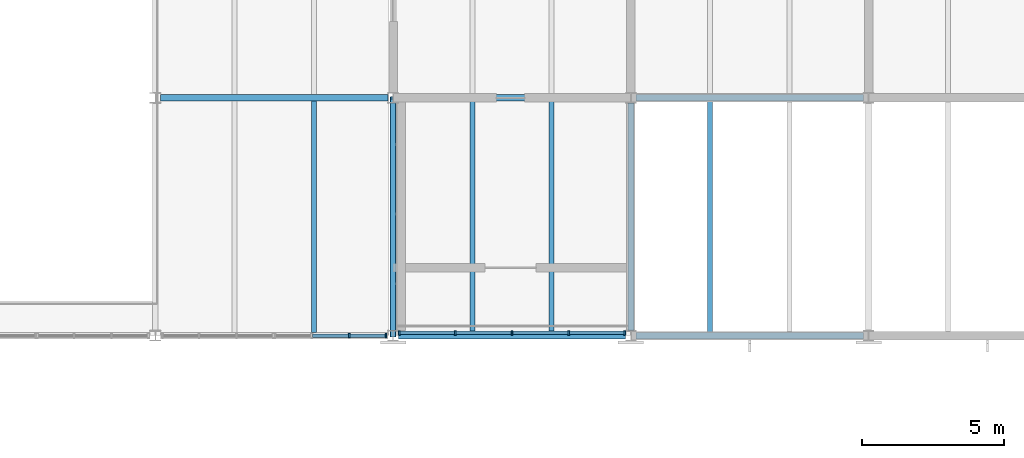
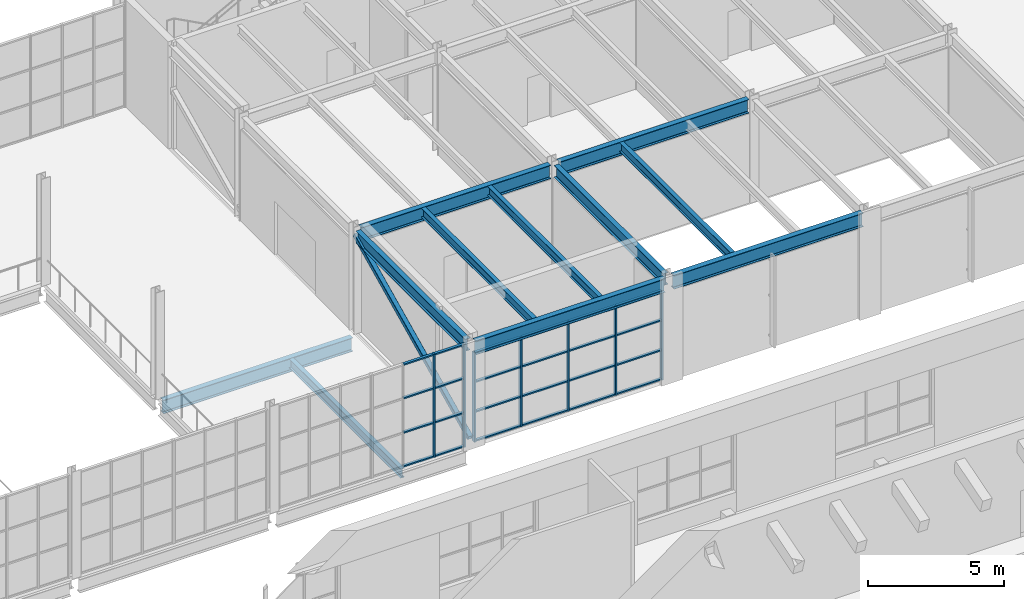
# One storey, part 42 of 127: 32 members, 11 beams, 2 elements without a shape of their own.
"""IFC4 building model written with IfcOpenShell, lengths in metres."""

import ifcopenshell
import ifcopenshell.guid

model = None  # the IFC model being written
_history = None  # IfcOwnerHistory: only IFC2X3 demands one
_inside = {}  # id of a spatial element -> (the spatial element, [elements in it])
_under = {}  # id of a project, library or spatial element -> (it, [spatial elements below it])
_declared = {}  # id of a project -> (the project, [libraries it declares])
_typed = {}  # id of a type object -> (the type object, [elements of that type])
_made_of = {}  # id of a material, layer set ... -> (it, [elements and type objects made of it])


def new_model(schema):
    """Start an empty IFC model of exactly this schema.

    Asked for "IFC4X3", IfcOpenShell would pick the latest addendum, in which some entities
    have other attributes; the version numbers below select the first issue.
    IFC2X3 requires an IfcOwnerHistory on every rooted entity: one is made here for all.
    """
    global model, _history
    if schema == "IFC4X3":
        model = ifcopenshell.file(schema_version=(4, 3, 0, 0))
    else:
        model = ifcopenshell.file(schema=schema)
    _inside.clear()
    _under.clear()
    _declared.clear()
    _typed.clear()
    _made_of.clear()
    _history = None
    if model.schema == "IFC2X3":
        org = make("IfcOrganization", Name="unknown")
        user = make(
            "IfcPersonAndOrganization",
            ThePerson=make("IfcPerson", FamilyName="unknown"),
            TheOrganization=org,
        )
        app = make(
            "IfcApplication",
            ApplicationDeveloper=org,
            Version="unknown",
            ApplicationFullName="unknown",
            ApplicationIdentifier="unknown",
        )
        _history = make(
            "IfcOwnerHistory",
            OwningUser=user,
            OwningApplication=app,
            ChangeAction="ADDED",
            CreationDate=0,
        )
    return model


def make(cls, **values):
    """One entity of the class cls with the attributes given. An attribute that is None is left unset."""
    return model.create_entity(
        cls, **{name: value for name, value in values.items() if value is not None}
    )


def rooted(cls, **values):
    """An entity with a GlobalId (a new one), such as an element, a storey or a relation."""
    return make(cls, GlobalId=ifcopenshell.guid.new(), OwnerHistory=_history, **values)


def si_unit(unit_type, name, prefix=None):
    """IfcSIUnit, for example si_unit("LENGTHUNIT", "METRE", prefix="MILLI")."""
    return make("IfcSIUnit", UnitType=unit_type, Prefix=prefix, Name=name)


def assignment(units):
    """IfcUnitAssignment: the units of a project."""
    return None if units is None else make("IfcUnitAssignment", Units=units)


def point(xyz):
    """IfcCartesianPoint."""
    return None if xyz is None else make("IfcCartesianPoint", Coordinates=xyz)


def direction(xyz):
    """IfcDirection."""
    return None if xyz is None else make("IfcDirection", DirectionRatios=xyz)


def frame(location, z_axis=None, x_axis=None):
    """IfcAxis2Placement3D, a coordinate frame: its origin and axes. An axis left out is left unset."""
    return make(
        "IfcAxis2Placement3D",
        Location=point(location),
        Axis=direction(z_axis),
        RefDirection=direction(x_axis),
    )


def frame_2d(location, x_axis=None):
    """IfcAxis2Placement2D, a coordinate frame in the plane: its origin and x axis."""
    return make(
        "IfcAxis2Placement2D", Location=point(location), RefDirection=direction(x_axis)
    )


def origin():
    """The frame at (0, 0, 0) with its axes left unset."""
    return frame((0.0, 0.0, 0.0))


def origin_2d():
    """The frame at (0, 0) in the plane with its x axis left unset."""
    return frame_2d((0.0, 0.0))


def place(relative_to, where):
    """IfcLocalPlacement: puts the frame where relative to a parent placement (None: the world)."""
    return make(
        "IfcLocalPlacement", PlacementRelTo=relative_to, RelativePlacement=where
    )


def context(
    kind, dimensions, precision=None, world=None, true_north=None, identifier=None
):
    """IfcGeometricRepresentationContext, for example the 3D "Model" context."""
    return make(
        "IfcGeometricRepresentationContext",
        ContextIdentifier=identifier,
        ContextType=kind,
        CoordinateSpaceDimension=dimensions,
        Precision=precision,
        WorldCoordinateSystem=world,
        TrueNorth=true_north,
    )


def subcontext(parent, identifier, kind, view, scale=None):
    """IfcGeometricRepresentationSubContext, for example "Body" below "Model"."""
    return make(
        "IfcGeometricRepresentationSubContext",
        ContextIdentifier=identifier,
        ContextType=kind,
        ParentContext=parent,
        TargetScale=scale,
        TargetView=view,
    )


def project(units=None, contexts=None):
    """IfcProject with its units and contexts."""
    return rooted(
        "IfcProject",
        Name="project",
        RepresentationContexts=contexts,
        UnitsInContext=assignment(units),
    )


def spatial(cls, under=None, at=None, **own):
    """A site, building, storey or space (cls), placed at a placement, below another one or the project."""
    s = rooted(cls, ObjectPlacement=at, **own)
    if under is not None:
        _under.setdefault(under.id(), (under, []))[1].append(s)
    return s


def profile(cls, at=None, kind="AREA", **sizes):
    """A parametric profile (cls). Its sizes go by their IFC names, for example OverallWidth=200.0."""
    return make(cls, ProfileType=kind, Position=at, **sizes)


def rectangle(**sizes):
    """IfcRectangleProfileDef."""
    return profile("IfcRectangleProfileDef", **sizes)


def hollow_rectangle(**sizes):
    """IfcRectangleHollowProfileDef."""
    return profile("IfcRectangleHollowProfileDef", **sizes)


def i_section(**sizes):
    """IfcIShapeProfileDef."""
    return profile("IfcIShapeProfileDef", **sizes)


def extrude(swept, where, along, depth):
    """IfcExtrudedAreaSolid: the profile swept, set in the frame where, extruded along a direction by depth."""
    return make(
        "IfcExtrudedAreaSolid",
        SweptArea=swept,
        Position=where,
        ExtrudedDirection=direction(along),
        Depth=depth,
    )


def shape(context_of_items, identifier, shape_type, items):
    """IfcShapeRepresentation: the items that make up one representation, for example the "Body"."""
    return make(
        "IfcShapeRepresentation",
        ContextOfItems=context_of_items,
        RepresentationIdentifier=identifier,
        RepresentationType=shape_type,
        Items=items,
    )


def material(Name=None, Category=None):
    """IfcMaterial."""
    return make("IfcMaterial", Name=Name, Category=Category)


def material_profile(
    of_material, cross_section, Name=None, Category=None, Priority=None
):
    """IfcMaterialProfile: a cross section and its material."""
    return make(
        "IfcMaterialProfile",
        Name=Name,
        Material=of_material,
        Profile=cross_section,
        Priority=Priority,
        Category=Category,
    )


def profile_set(profiles, Name=None, composite=None):
    """IfcMaterialProfileSet."""
    return make(
        "IfcMaterialProfileSet",
        Name=Name,
        MaterialProfiles=profiles,
        CompositeProfile=composite,
    )


def made_of(thing, what):
    """Note that an element or type object is made of a material, layer set ...; save() writes the relation."""
    if what is not None:
        _made_of.setdefault(what.id(), (what, []))[1].append(thing)
    return thing


def type_object(cls, material=None, **own):
    """A type object (cls), such as IfcWallType, which elements share."""
    return made_of(rooted(cls, **own), material)


def element(
    cls,
    number,
    at=None,
    inside=None,
    cuts=None,
    type_object=None,
    material=None,
    context=None,
    identifier="Body",
    shape_type=None,
    held_by="IfcProductDefinitionShape",
    body=None,
    shapes=None,
    **own,
):
    """One element of the class cls, such as IfcWall. Its Tag is "e" and its number.

    at: its placement. inside: the storey or other place that contains it. cuts: it is an
    opening in that element (IfcRelVoidsElement). A single representation is given by context,
    identifier, shape_type and body (its items); several are given by shapes. held_by: the class
    of the entity that holds the representations. save() writes the other relations.
    """
    e = rooted(cls, Tag="e%d" % number, ObjectPlacement=at, **own)
    if body is not None:
        shapes = [shape(context, identifier, shape_type, body)]
    if shapes is not None:
        e.Representation = make(held_by, Representations=shapes)
    if inside is not None:
        _inside.setdefault(inside.id(), (inside, []))[1].append(e)
    if cuts is not None:
        rooted(
            "IfcRelVoidsElement", RelatingBuildingElement=cuts, RelatedOpeningElement=e
        )
    if type_object is not None:
        _typed.setdefault(type_object.id(), (type_object, []))[1].append(e)
    return made_of(e, material)


def aggregate(whole, parts):
    """IfcRelAggregates: a whole, such as a stair, and the parts it consists of."""
    return rooted("IfcRelAggregates", RelatingObject=whole, RelatedObjects=parts)


def save(model, path):
    """Write the relations noted so far, then the file.

    IfcRelAggregates (storeys below a building ...), IfcRelContainedInSpatialStructure (elements
    in a storey), IfcRelDefinesByType, IfcRelAssociatesMaterial and IfcRelDeclares: one each for
    every whole, place, type object, material and project.
    """
    for whole, parts in _under.values():
        aggregate(whole, parts)
    for where, things in _inside.values():
        rooted(
            "IfcRelContainedInSpatialStructure",
            RelatedElements=things,
            RelatingStructure=where,
        )
    for kind, things in _typed.values():
        rooted("IfcRelDefinesByType", RelatedObjects=things, RelatingType=kind)
    for what, things in _made_of.values():
        rooted("IfcRelAssociatesMaterial", RelatedObjects=things, RelatingMaterial=what)
    for by, libraries in _declared.values():
        rooted("IfcRelDeclares", RelatingContext=by, RelatedDefinitions=libraries)
    model.write(path)


model = new_model("IFC4")

# Units and contexts
model_context = context("Model", 3, precision=1e-05, world=origin(), true_north=direction((0.0, 1.0)))
body_context = subcontext(model_context, "Body", "Model", "MODEL_VIEW")
ifc_project = project(units=[si_unit("LENGTHUNIT", "METRE"), si_unit("AREAUNIT", "SQUARE_METRE"), si_unit("VOLUMEUNIT", "CUBIC_METRE"), si_unit("PLANEANGLEUNIT", "RADIAN"), si_unit("MASSUNIT", "GRAM", prefix="KILO")], contexts=[model_context])

# Site, building, storey
site_placement = place(None, origin())
site = spatial("IfcSite", under=ifc_project, at=site_placement, CompositionType="ELEMENT")
building_placement = place(site_placement, origin())
building = spatial("IfcBuilding", under=site, at=building_placement, Name="Ljudholm Concert House", CompositionType="ELEMENT")
storey_placement = place(building_placement, frame((0.0, 0.0, 5.39990234375)))
storey = spatial("IfcBuildingStorey", under=building, at=storey_placement, Name="L01", CompositionType="ELEMENT", Elevation=5.39990234375)

# Curtain wall, members
ifc_material_1 = material(Name="Aluminium curtain wall with fixed aluminium storm louvre blades, timber-grain finish", Category="aluminium")
curtain_wall_type_1 = type_object("IfcCurtainWallType", Name="CURTAIN WALL 2000", PredefinedType="NOTDEFINED", material=ifc_material_1)
curtain_wall_1_placement = place(storey_placement, origin())
curtain_wall_1 = element("IfcCurtainWall", 1, at=curtain_wall_1_placement, inside=storey, type_object=curtain_wall_type_1, Name="Storm louvre screen", PredefinedType="NOTDEFINED")
ifc_material_2 = material(Name="Aluminium extrusion", Category="aluminium")
ifc_material_profile_1 = material_profile(ifc_material_2, rectangle(XDim=0.159912109375, YDim=0.06005859375, at=origin_2d()), Name="MULLION 60x160")
ifc_profile_set_1 = profile_set([ifc_material_profile_1], Name="Aluminium extrusion")
member_type_1 = type_object("IfcMemberType", Name="MULLION 60x160", PredefinedType="MULLION", material=ifc_profile_set_1)
member_1_placement = place(storey_placement, frame((54.6201171875, 104.89990234375, 0.0), z_axis=(0.0, 0.0, 1.0), x_axis=(0.0, 1.0, 0.0)))
member_1 = element("IfcMember", 2, at=member_1_placement, type_object=member_type_1, Name="Mullion", PredefinedType="MULLION", context=body_context, shape_type="SweptSolid", body=[
    extrude(rectangle(XDim=0.159912109375, YDim=0.06005859375, at=origin_2d()), origin(), (0.0, 0.0, 1.0), 4.008056640625),
])
member_2_placement = place(storey_placement, frame((56.594970703125, 104.89990234375, 0.0), z_axis=(0.0, 0.0, 1.0), x_axis=(0.0, 1.0, 0.0)))
member_2 = element("IfcMember", 3, at=member_2_placement, type_object=member_type_1, Name="Mullion", PredefinedType="MULLION", context=body_context, shape_type="SweptSolid", body=[
    extrude(rectangle(XDim=0.159912109375, YDim=0.06005859375, at=origin_2d()), origin(), (0.0, 0.0, 1.0), 4.008056640625),
])
member_3_placement = place(storey_placement, frame((58.60009765625, 104.89990234375, 0.0), z_axis=(0.0, 0.0, 1.0), x_axis=(0.0, 1.0, 0.0)))
member_3 = element("IfcMember", 4, at=member_3_placement, type_object=member_type_1, Name="Mullion", PredefinedType="MULLION", context=body_context, shape_type="SweptSolid", body=[
    extrude(rectangle(XDim=0.159912109375, YDim=0.06005859375, at=origin_2d()), origin(), (0.0, 0.0, 1.0), 4.008056640625),
])
member_4_placement = place(storey_placement, frame((60.60498046875, 104.89990234375, 0.0), z_axis=(0.0, 0.0, 1.0), x_axis=(0.0, 1.0, 0.0)))
member_4 = element("IfcMember", 5, at=member_4_placement, type_object=member_type_1, Name="Mullion", PredefinedType="MULLION", context=body_context, shape_type="SweptSolid", body=[
    extrude(rectangle(XDim=0.159912109375, YDim=0.06005859375, at=origin_2d()), origin(), (0.0, 0.0, 1.0), 4.008056640625),
])
member_5_placement = place(storey_placement, frame((62.580078125, 104.89990234375, 0.0), z_axis=(0.0, 0.0, 1.0), x_axis=(0.0, 1.0, 0.0)))
member_5 = element("IfcMember", 6, at=member_5_placement, type_object=member_type_1, Name="Mullion", PredefinedType="MULLION", context=body_context, shape_type="SweptSolid", body=[
    extrude(rectangle(XDim=0.159912109375, YDim=0.06005859375, at=origin_2d()), origin(), (0.0, 0.0, 1.0), 4.008056640625),
])

ifc_material_3 = material(Name="Aluminium curtain wall with impact-rated laminated glass", Category="aluminium")
curtain_wall_type_2 = type_object("IfcCurtainWallType", Name="CURTAIN WALL 1400", PredefinedType="NOTDEFINED", material=ifc_material_3)
curtain_wall_2_placement = place(storey_placement, origin())
curtain_wall_2 = element("IfcCurtainWall", 7, at=curtain_wall_2_placement, inside=storey, type_object=curtain_wall_type_2, Name="Winter garden curtain wall", PredefinedType="NOTDEFINED")
member_6_placement = place(storey_placement, frame((52.853271484375, 104.800048828125, 0.0), z_axis=(0.0, 0.0, 1.0), x_axis=(0.0, 1.0, 0.0)))
member_6 = element("IfcMember", 8, at=member_6_placement, type_object=member_type_1, Name="Mullion", PredefinedType="MULLION", context=body_context, shape_type="SweptSolid", body=[
    extrude(rectangle(XDim=0.159912109375, YDim=0.06005859375, at=origin_2d()), origin(), (0.0, 0.0, 1.0), 4.6201171875),
])
member_7_placement = place(storey_placement, frame((54.14990234375, 104.800048828125, 0.0), z_axis=(0.0, 0.0, 1.0), x_axis=(0.0, 1.0, 0.0)))
member_7 = element("IfcMember", 9, at=member_7_placement, type_object=member_type_1, Name="Mullion", PredefinedType="MULLION", context=body_context, shape_type="SweptSolid", body=[
    extrude(rectangle(XDim=0.159912109375, YDim=0.06005859375, at=origin_2d()), origin(), (0.0, 0.0, 1.0), 4.6201171875),
])

# Beams
ifc_material_4 = material(Name="Steel ASTM A992", Category="steel")
ifc_material_profile_2 = material_profile(ifc_material_4, i_section(OverallWidth=0.177734375, OverallDepth=0.406494140625, WebThickness=0.0078125, FlangeThickness=0.012939453125, FilletRadius=0.01025390625, at=origin_2d()), Name="W16X40")
ifc_profile_set_2 = profile_set([ifc_material_profile_2], Name="Steel ASTM A992")
beam_type_1 = type_object("IfcBeamType", Name="STEEL BEAM W16X40", PredefinedType="BEAM", material=ifc_profile_set_2)
for number, where, z_axis, x_axis, name in (
    (10, (57.199951171875, 104.91455078125, 4.4169921875), (0.0, 1.0, 0.0), (-1.0, 0.0, 0.0), "Beam STUDIO-L02-sb-57.2-104.8"),
    (11, (60.0, 104.91455078125, 4.4169921875), (0.0, 1.0, 0.0), (-1.0, 0.0, 0.0), "Beam STUDIO-L02-sb-60-104.8"),
    (12, (65.60009765625, 104.91455078125, 4.4169921875), (0.0, 1.0, 0.0), (-1.0, 0.0, 0.0), "Beam STUDIO-L02-sb-65.6-104.8"),
    (13, (51.60009765625, 104.91455078125, -0.383056640625), (0.0, 1.0, 0.0), (-1.0, 0.0, 0.0), "Secondary beam"),
):
    element("IfcBeam", number, at=place(storey_placement, frame(where, z_axis=z_axis, x_axis=x_axis)), inside=storey, type_object=beam_type_1, Name=name, PredefinedType="BEAM", context=body_context, shape_type="SweptSolid", body=[
        extrude(i_section(OverallWidth=0.177734375, OverallDepth=0.406494140625, WebThickness=0.0078125, FlangeThickness=0.012939453125, FilletRadius=0.01025390625, at=origin_2d()), origin(), (0.0, 0.0, 1.0), 8.1708984375),
    ])
ifc_material_5 = material(Name="Steel ASTM A992", Category="steel")
ifc_material_profile_3 = material_profile(ifc_material_5, i_section(OverallWidth=0.209228515625, OverallDepth=0.533447265625, WebThickness=0.01025390625, FlangeThickness=0.015625, FilletRadius=0.012939453125, at=origin_2d()), Name="W21X62")
ifc_profile_set_3 = profile_set([ifc_material_profile_3], Name="Steel ASTM A992")
beam_type_2 = type_object("IfcBeamType", Name="STEEL BEAM W21X62", PredefinedType="BEAM", material=ifc_profile_set_3)
for number, where, z_axis, x_axis, name in (
    (14, (54.39990234375, 104.986572265625, 4.353515625), (0.0, 1.0, 0.0), (-1.0, 0.0, 0.0), "Beam STUDIO-L02-gy-54.4-104.8"),
    (15, (62.800048828125, 104.986572265625, 4.353515625), (0.0, 1.0, 0.0), (-1.0, 0.0, 0.0), "Beam STUDIO-L02-gy-62.8-104.8"),
):
    element("IfcBeam", number, at=place(storey_placement, frame(where, z_axis=z_axis, x_axis=x_axis)), inside=storey, type_object=beam_type_2, Name=name, PredefinedType="BEAM", context=body_context, shape_type="SweptSolid", body=[
        extrude(i_section(OverallWidth=0.209228515625, OverallDepth=0.533447265625, WebThickness=0.01025390625, FlangeThickness=0.015625, FilletRadius=0.012939453125, at=origin_2d()), origin(), (0.0, 0.0, 1.0), 8.02685546875),
    ])
ifc_material_6 = material(Name="Steel ASTM A992", Category="steel")
ifc_material_profile_4 = material_profile(ifc_material_6, i_section(OverallWidth=0.22900390625, OverallDepth=0.612060546875, WebThickness=0.011962890625, FlangeThickness=0.01953125, FilletRadius=0.0126953125, at=origin_2d()), Name="W24X84")
ifc_profile_set_4 = profile_set([ifc_material_profile_4], Name="Steel ASTM A992")
beam_type_3 = type_object("IfcBeamType", Name="STEEL BEAM W24X84", PredefinedType="BEAM", material=ifc_profile_set_4)
beam_1_placement = place(storey_placement, frame((54.586669921875, 104.800048828125, 4.31396484375), z_axis=(1.0, 0.0, 0.0), x_axis=(0.0, 1.0, 0.0)))
element("IfcBeam", 16, at=beam_1_placement, inside=storey, type_object=beam_type_3, Name="Beam STUDIO-L02-gx-54.4-104.8", PredefinedType="BEAM", context=body_context, shape_type="SweptSolid", body=[
    extrude(i_section(OverallWidth=0.22900390625, OverallDepth=0.612060546875, WebThickness=0.011962890625, FlangeThickness=0.01953125, FilletRadius=0.0126953125, at=origin_2d()), origin(), (0.0, 0.0, 1.0), 8.026611328125),
])
beam_2_placement = place(storey_placement, frame((62.986572265625, 104.800048828125, 4.31396484375), z_axis=(1.0, 0.0, 0.0), x_axis=(0.0, 1.0, 0.0)))
element("IfcBeam", 17, at=beam_2_placement, inside=storey, type_object=beam_type_3, Name="Beam STUDIO-L02-gx-62.8-104.8", PredefinedType="BEAM", context=body_context, shape_type="SweptSolid", body=[
    extrude(i_section(OverallWidth=0.22900390625, OverallDepth=0.612060546875, WebThickness=0.011962890625, FlangeThickness=0.01953125, FilletRadius=0.0126953125, at=origin_2d()), origin(), (0.0, 0.0, 1.0), 8.02685546875),
])
beam_3_placement = place(storey_placement, frame((54.586669921875, 113.199951171875, 4.31396484375), z_axis=(1.0, 0.0, 0.0), x_axis=(0.0, 1.0, 0.0)))
element("IfcBeam", 18, at=beam_3_placement, inside=storey, type_object=beam_type_3, Name="Beam STUDIO-L02-gx-54.4-113.2", PredefinedType="BEAM", context=body_context, shape_type="SweptSolid", body=[
    extrude(i_section(OverallWidth=0.22900390625, OverallDepth=0.612060546875, WebThickness=0.011962890625, FlangeThickness=0.01953125, FilletRadius=0.0126953125, at=origin_2d()), origin(), (0.0, 0.0, 1.0), 8.026611328125),
])
beam_4_placement = place(storey_placement, frame((62.986572265625, 113.199951171875, 4.31396484375), z_axis=(1.0, 0.0, 0.0), x_axis=(0.0, 1.0, 0.0)))
element("IfcBeam", 19, at=beam_4_placement, inside=storey, type_object=beam_type_3, Name="Beam STUDIO-L02-gx-62.8-113.2", PredefinedType="BEAM", context=body_context, shape_type="SweptSolid", body=[
    extrude(i_section(OverallWidth=0.22900390625, OverallDepth=0.612060546875, WebThickness=0.011962890625, FlangeThickness=0.01953125, FilletRadius=0.0126953125, at=origin_2d()), origin(), (0.0, 0.0, 1.0), 8.02685546875),
])
beam_5_placement = place(storey_placement, frame((46.186767578125, 113.199951171875, -0.486083984375), z_axis=(1.0, 0.0, 0.0), x_axis=(0.0, 1.0, 0.0)))
element("IfcBeam", 20, at=beam_5_placement, inside=storey, type_object=beam_type_3, Name="Floor girder", PredefinedType="BEAM", context=body_context, shape_type="SweptSolid", body=[
    extrude(i_section(OverallWidth=0.22900390625, OverallDepth=0.612060546875, WebThickness=0.011962890625, FlangeThickness=0.01953125, FilletRadius=0.0126953125, at=origin_2d()), origin(), (0.0, 0.0, 1.0), 8.026611328125),
])

# Member
ifc_material_7 = material(Name="Steel ASTM A500 Gr. C", Category="steel")
ifc_material_profile_5 = material_profile(ifc_material_7, hollow_rectangle(XDim=0.203125, YDim=0.203125, WallThickness=0.01171875, InnerFilletRadius=0.005859375, OuterFilletRadius=0.017822265625, at=origin_2d()), Name="HSS8X8X1/2")
ifc_profile_set_5 = profile_set([ifc_material_profile_5], Name="Steel ASTM A500 Gr. C")
member_type_2 = type_object("IfcMemberType", Name="STEEL MEMBER HSS8X8X1/2 BRACE", PredefinedType="BRACE", material=ifc_profile_set_5)
member_8_placement = place(storey_placement, frame((54.39990234375, 104.800048828125, 0.300048828125), z_axis=(0.0, 0.902022385889, 0.431689257864), x_axis=(-1.0, 0.0, 0.0)))
element("IfcMember", 21, at=member_8_placement, inside=storey, type_object=member_type_2, Name="Brace", PredefinedType="BRACE", context=body_context, shape_type="SweptSolid", body=[
    extrude(hollow_rectangle(XDim=0.203125, YDim=0.203125, WallThickness=0.01171875, InnerFilletRadius=0.005859375, OuterFilletRadius=0.017822265625, at=origin_2d()), origin(), (0.0, 0.0, 1.0), 9.312255859375),
])

ifc_material_8 = material(Name="Aluminium extrusion", Category="aluminium")
ifc_material_profile_6 = material_profile(ifc_material_8, rectangle(XDim=0.1201171875, YDim=0.06005859375, at=origin_2d()), Name="TRANSOM 60x120")
ifc_profile_set_6 = profile_set([ifc_material_profile_6], Name="Aluminium extrusion")
member_type_3 = type_object("IfcMemberType", Name="TRANSOM 60x120", PredefinedType="USERDEFINED", material=ifc_profile_set_6)
member_9_placement = place(storey_placement, frame((54.64990234375, 104.89990234375, 0.030029296875), z_axis=(1.0, 0.0, 0.0), x_axis=(0.0, 1.0, 0.0)))
member_9 = element("IfcMember", 22, at=member_9_placement, type_object=member_type_3, Name="Transom", ObjectType="TRANSOM", PredefinedType="USERDEFINED", context=body_context, shape_type="SweptSolid", body=[
    extrude(rectangle(XDim=0.1201171875, YDim=0.06005859375, at=origin_2d()), origin(), (0.0, 0.0, 1.0), 1.9150390625),
])

member_10_placement = place(storey_placement, frame((54.64990234375, 104.89990234375, 1.3359375), z_axis=(1.0, 0.0, 0.0), x_axis=(0.0, 1.0, 0.0)))
member_10 = element("IfcMember", 23, at=member_10_placement, type_object=member_type_3, Name="Transom", ObjectType="TRANSOM", PredefinedType="USERDEFINED", context=body_context, shape_type="SweptSolid", body=[
    extrude(rectangle(XDim=0.1201171875, YDim=0.06005859375, at=origin_2d()), origin(), (0.0, 0.0, 1.0), 1.9150390625),
])

member_11_placement = place(storey_placement, frame((54.64990234375, 104.89990234375, 2.672119140625), z_axis=(1.0, 0.0, 0.0), x_axis=(0.0, 1.0, 0.0)))
member_11 = element("IfcMember", 24, at=member_11_placement, type_object=member_type_3, Name="Transom", ObjectType="TRANSOM", PredefinedType="USERDEFINED", context=body_context, shape_type="SweptSolid", body=[
    extrude(rectangle(XDim=0.1201171875, YDim=0.06005859375, at=origin_2d()), origin(), (0.0, 0.0, 1.0), 1.9150390625),
])

member_12_placement = place(storey_placement, frame((54.64990234375, 104.89990234375, 3.97802734375), z_axis=(1.0, 0.0, 0.0), x_axis=(0.0, 1.0, 0.0)))
member_12 = element("IfcMember", 25, at=member_12_placement, type_object=member_type_3, Name="Transom", ObjectType="TRANSOM", PredefinedType="USERDEFINED", context=body_context, shape_type="SweptSolid", body=[
    extrude(rectangle(XDim=0.1201171875, YDim=0.06005859375, at=origin_2d()), origin(), (0.0, 0.0, 1.0), 1.9150390625),
])

member_13_placement = place(storey_placement, frame((56.625, 104.89990234375, 0.030029296875), z_axis=(1.0, 0.0, 0.0), x_axis=(0.0, 1.0, 0.0)))
member_13 = element("IfcMember", 26, at=member_13_placement, type_object=member_type_3, Name="Transom", ObjectType="TRANSOM", PredefinedType="USERDEFINED", context=body_context, shape_type="SweptSolid", body=[
    extrude(rectangle(XDim=0.1201171875, YDim=0.06005859375, at=origin_2d()), origin(), (0.0, 0.0, 1.0), 1.945068359375),
])

member_14_placement = place(storey_placement, frame((56.625, 104.89990234375, 1.3359375), z_axis=(1.0, 0.0, 0.0), x_axis=(0.0, 1.0, 0.0)))
member_14 = element("IfcMember", 27, at=member_14_placement, type_object=member_type_3, Name="Transom", ObjectType="TRANSOM", PredefinedType="USERDEFINED", context=body_context, shape_type="SweptSolid", body=[
    extrude(rectangle(XDim=0.1201171875, YDim=0.06005859375, at=origin_2d()), origin(), (0.0, 0.0, 1.0), 1.945068359375),
])

member_15_placement = place(storey_placement, frame((56.625, 104.89990234375, 2.672119140625), z_axis=(1.0, 0.0, 0.0), x_axis=(0.0, 1.0, 0.0)))
member_15 = element("IfcMember", 28, at=member_15_placement, type_object=member_type_3, Name="Transom", ObjectType="TRANSOM", PredefinedType="USERDEFINED", context=body_context, shape_type="SweptSolid", body=[
    extrude(rectangle(XDim=0.1201171875, YDim=0.06005859375, at=origin_2d()), origin(), (0.0, 0.0, 1.0), 1.945068359375),
])

member_16_placement = place(storey_placement, frame((56.625, 104.89990234375, 3.97802734375), z_axis=(1.0, 0.0, 0.0), x_axis=(0.0, 1.0, 0.0)))
member_16 = element("IfcMember", 29, at=member_16_placement, type_object=member_type_3, Name="Transom", ObjectType="TRANSOM", PredefinedType="USERDEFINED", context=body_context, shape_type="SweptSolid", body=[
    extrude(rectangle(XDim=0.1201171875, YDim=0.06005859375, at=origin_2d()), origin(), (0.0, 0.0, 1.0), 1.945068359375),
])

member_17_placement = place(storey_placement, frame((58.6298828125, 104.89990234375, 0.030029296875), z_axis=(1.0, 0.0, 0.0), x_axis=(0.0, 1.0, 0.0)))
member_17 = element("IfcMember", 30, at=member_17_placement, type_object=member_type_3, Name="Transom", ObjectType="TRANSOM", PredefinedType="USERDEFINED", context=body_context, shape_type="SweptSolid", body=[
    extrude(rectangle(XDim=0.1201171875, YDim=0.06005859375, at=origin_2d()), origin(), (0.0, 0.0, 1.0), 1.945068359375),
])

member_18_placement = place(storey_placement, frame((58.6298828125, 104.89990234375, 1.3359375), z_axis=(1.0, 0.0, 0.0), x_axis=(0.0, 1.0, 0.0)))
member_18 = element("IfcMember", 31, at=member_18_placement, type_object=member_type_3, Name="Transom", ObjectType="TRANSOM", PredefinedType="USERDEFINED", context=body_context, shape_type="SweptSolid", body=[
    extrude(rectangle(XDim=0.1201171875, YDim=0.06005859375, at=origin_2d()), origin(), (0.0, 0.0, 1.0), 1.945068359375),
])

member_19_placement = place(storey_placement, frame((58.6298828125, 104.89990234375, 2.672119140625), z_axis=(1.0, 0.0, 0.0), x_axis=(0.0, 1.0, 0.0)))
member_19 = element("IfcMember", 32, at=member_19_placement, type_object=member_type_3, Name="Transom", ObjectType="TRANSOM", PredefinedType="USERDEFINED", context=body_context, shape_type="SweptSolid", body=[
    extrude(rectangle(XDim=0.1201171875, YDim=0.06005859375, at=origin_2d()), origin(), (0.0, 0.0, 1.0), 1.945068359375),
])

member_20_placement = place(storey_placement, frame((58.6298828125, 104.89990234375, 3.97802734375), z_axis=(1.0, 0.0, 0.0), x_axis=(0.0, 1.0, 0.0)))
member_20 = element("IfcMember", 33, at=member_20_placement, type_object=member_type_3, Name="Transom", ObjectType="TRANSOM", PredefinedType="USERDEFINED", context=body_context, shape_type="SweptSolid", body=[
    extrude(rectangle(XDim=0.1201171875, YDim=0.06005859375, at=origin_2d()), origin(), (0.0, 0.0, 1.0), 1.945068359375),
])

member_21_placement = place(storey_placement, frame((60.635009765625, 104.89990234375, 0.030029296875), z_axis=(1.0, 0.0, 0.0), x_axis=(0.0, 1.0, 0.0)))
member_21 = element("IfcMember", 34, at=member_21_placement, type_object=member_type_3, Name="Transom", ObjectType="TRANSOM", PredefinedType="USERDEFINED", context=body_context, shape_type="SweptSolid", body=[
    extrude(rectangle(XDim=0.1201171875, YDim=0.06005859375, at=origin_2d()), origin(), (0.0, 0.0, 1.0), 1.9150390625),
])

member_22_placement = place(storey_placement, frame((60.635009765625, 104.89990234375, 1.3359375), z_axis=(1.0, 0.0, 0.0), x_axis=(0.0, 1.0, 0.0)))
member_22 = element("IfcMember", 35, at=member_22_placement, type_object=member_type_3, Name="Transom", ObjectType="TRANSOM", PredefinedType="USERDEFINED", context=body_context, shape_type="SweptSolid", body=[
    extrude(rectangle(XDim=0.1201171875, YDim=0.06005859375, at=origin_2d()), origin(), (0.0, 0.0, 1.0), 1.9150390625),
])

member_23_placement = place(storey_placement, frame((60.635009765625, 104.89990234375, 2.672119140625), z_axis=(1.0, 0.0, 0.0), x_axis=(0.0, 1.0, 0.0)))
member_23 = element("IfcMember", 36, at=member_23_placement, type_object=member_type_3, Name="Transom", ObjectType="TRANSOM", PredefinedType="USERDEFINED", context=body_context, shape_type="SweptSolid", body=[
    extrude(rectangle(XDim=0.1201171875, YDim=0.06005859375, at=origin_2d()), origin(), (0.0, 0.0, 1.0), 1.9150390625),
])

member_24_placement = place(storey_placement, frame((60.635009765625, 104.89990234375, 3.97802734375), z_axis=(1.0, 0.0, 0.0), x_axis=(0.0, 1.0, 0.0)))
member_24 = element("IfcMember", 37, at=member_24_placement, type_object=member_type_3, Name="Transom", ObjectType="TRANSOM", PredefinedType="USERDEFINED", context=body_context, shape_type="SweptSolid", body=[
    extrude(rectangle(XDim=0.1201171875, YDim=0.06005859375, at=origin_2d()), origin(), (0.0, 0.0, 1.0), 1.9150390625),
])

aggregate(curtain_wall_1, [member_1, member_2, member_3, member_4, member_5, member_9, member_10, member_11, member_12, member_13, member_14, member_15, member_16, member_17, member_18, member_19, member_20, member_21, member_22, member_23, member_24])

member_25_placement = place(storey_placement, frame((51.556640625, 104.800048828125, 0.030029296875), z_axis=(1.0, 0.0, 0.0), x_axis=(0.0, 1.0, 0.0)))
member_25 = element("IfcMember", 38, at=member_25_placement, type_object=member_type_3, Name="Transom", ObjectType="TRANSOM", PredefinedType="USERDEFINED", context=body_context, shape_type="SweptSolid", body=[
    extrude(rectangle(XDim=0.1201171875, YDim=0.06005859375, at=origin_2d()), origin(), (0.0, 0.0, 1.0), 1.2666015625),
])

member_26_placement = place(storey_placement, frame((51.556640625, 104.800048828125, 1.5400390625), z_axis=(1.0, 0.0, 0.0), x_axis=(0.0, 1.0, 0.0)))
member_26 = element("IfcMember", 39, at=member_26_placement, type_object=member_type_3, Name="Transom", ObjectType="TRANSOM", PredefinedType="USERDEFINED", context=body_context, shape_type="SweptSolid", body=[
    extrude(rectangle(XDim=0.1201171875, YDim=0.06005859375, at=origin_2d()), origin(), (0.0, 0.0, 1.0), 1.2666015625),
])

member_27_placement = place(storey_placement, frame((51.556640625, 104.800048828125, 3.080078125), z_axis=(1.0, 0.0, 0.0), x_axis=(0.0, 1.0, 0.0)))
member_27 = element("IfcMember", 40, at=member_27_placement, type_object=member_type_3, Name="Transom", ObjectType="TRANSOM", PredefinedType="USERDEFINED", context=body_context, shape_type="SweptSolid", body=[
    extrude(rectangle(XDim=0.1201171875, YDim=0.06005859375, at=origin_2d()), origin(), (0.0, 0.0, 1.0), 1.2666015625),
])

member_28_placement = place(storey_placement, frame((51.556640625, 104.800048828125, 4.590087890625), z_axis=(1.0, 0.0, 0.0), x_axis=(0.0, 1.0, 0.0)))
member_28 = element("IfcMember", 41, at=member_28_placement, type_object=member_type_3, Name="Transom", ObjectType="TRANSOM", PredefinedType="USERDEFINED", context=body_context, shape_type="SweptSolid", body=[
    extrude(rectangle(XDim=0.1201171875, YDim=0.06005859375, at=origin_2d()), origin(), (0.0, 0.0, 1.0), 1.2666015625),
])

member_29_placement = place(storey_placement, frame((52.88330078125, 104.800048828125, 0.030029296875), z_axis=(1.0, 0.0, 0.0), x_axis=(0.0, 1.0, 0.0)))
member_29 = element("IfcMember", 42, at=member_29_placement, type_object=member_type_3, Name="Transom", ObjectType="TRANSOM", PredefinedType="USERDEFINED", context=body_context, shape_type="SweptSolid", body=[
    extrude(rectangle(XDim=0.1201171875, YDim=0.06005859375, at=origin_2d()), origin(), (0.0, 0.0, 1.0), 1.23681640625),
])

member_30_placement = place(storey_placement, frame((52.88330078125, 104.800048828125, 1.5400390625), z_axis=(1.0, 0.0, 0.0), x_axis=(0.0, 1.0, 0.0)))
member_30 = element("IfcMember", 43, at=member_30_placement, type_object=member_type_3, Name="Transom", ObjectType="TRANSOM", PredefinedType="USERDEFINED", context=body_context, shape_type="SweptSolid", body=[
    extrude(rectangle(XDim=0.1201171875, YDim=0.06005859375, at=origin_2d()), origin(), (0.0, 0.0, 1.0), 1.23681640625),
])

member_31_placement = place(storey_placement, frame((52.88330078125, 104.800048828125, 3.080078125), z_axis=(1.0, 0.0, 0.0), x_axis=(0.0, 1.0, 0.0)))
member_31 = element("IfcMember", 44, at=member_31_placement, type_object=member_type_3, Name="Transom", ObjectType="TRANSOM", PredefinedType="USERDEFINED", context=body_context, shape_type="SweptSolid", body=[
    extrude(rectangle(XDim=0.1201171875, YDim=0.06005859375, at=origin_2d()), origin(), (0.0, 0.0, 1.0), 1.23681640625),
])

member_32_placement = place(storey_placement, frame((52.88330078125, 104.800048828125, 4.590087890625), z_axis=(1.0, 0.0, 0.0), x_axis=(0.0, 1.0, 0.0)))
member_32 = element("IfcMember", 45, at=member_32_placement, type_object=member_type_3, Name="Transom", ObjectType="TRANSOM", PredefinedType="USERDEFINED", context=body_context, shape_type="SweptSolid", body=[
    extrude(rectangle(XDim=0.1201171875, YDim=0.06005859375, at=origin_2d()), origin(), (0.0, 0.0, 1.0), 1.23681640625),
])

aggregate(curtain_wall_2, [member_6, member_7, member_25, member_26, member_27, member_28, member_29, member_30, member_31, member_32])

save(model, "model.ifc")
